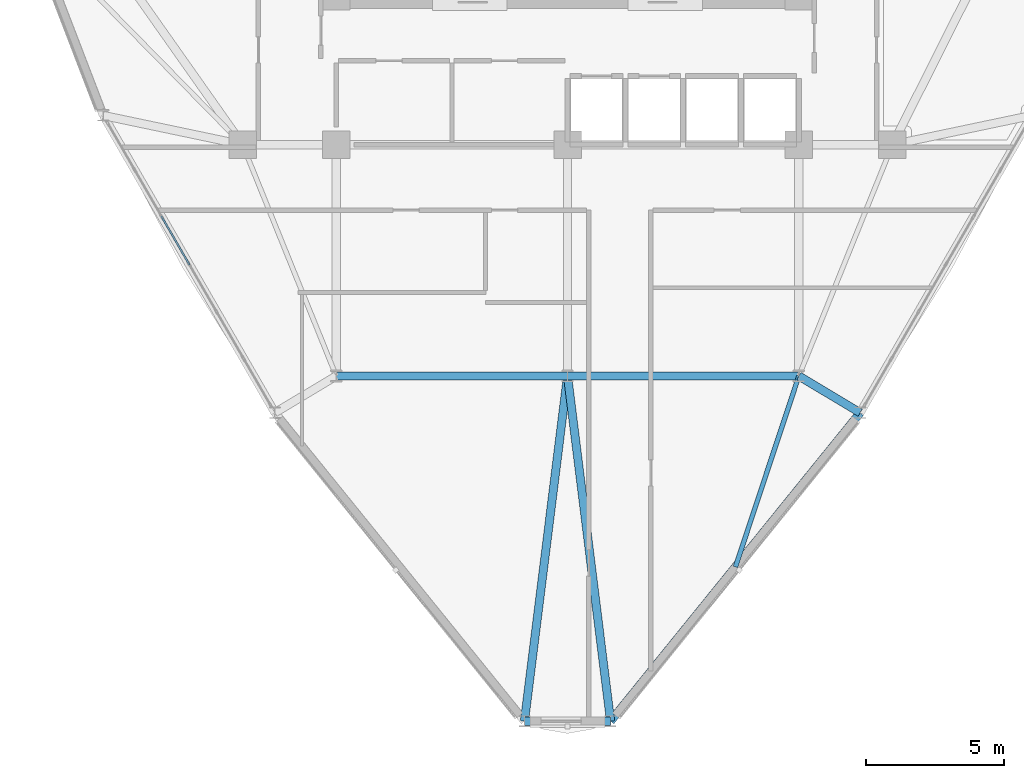
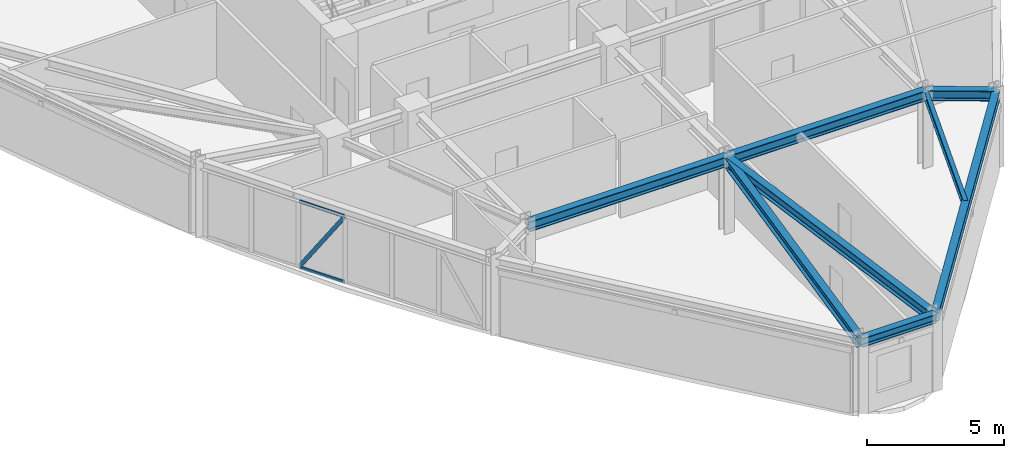
# One storey, part 3 of 14: 8 beams, 3 members, 1 element without a shape of its own.
"""IFC4 building model written with IfcOpenShell, lengths in metres."""

from ifc_helpers import new_model, si_unit, derived_unit, direction, frame, origin, origin_2d, place, context, subcontext, project, spatial, hollow_rectangle, i_section, extrude, source, transform, mapped, material, layer, layer_set, material_profile, profile_set, type_object, element, aggregate, save


model = new_model("IFC4")

# Units and contexts
model_context = context("Model", 3, precision=1e-05, world=origin(), true_north=direction((0.0, 1.0)))
body_context = subcontext(model_context, "Body", "Model", "MODEL_VIEW")
ifc_project = project(units=[si_unit("LENGTHUNIT", "METRE"), si_unit("AREAUNIT", "SQUARE_METRE"), si_unit("VOLUMEUNIT", "CUBIC_METRE"), si_unit("PLANEANGLEUNIT", "RADIAN"), si_unit("MASSUNIT", "GRAM", prefix="KILO"), derived_unit("THERMALTRANSMITTANCEUNIT", [(si_unit("POWERUNIT", "WATT"), 1), (si_unit("LENGTHUNIT", "METRE"), -2), (si_unit("THERMODYNAMICTEMPERATUREUNIT", "KELVIN"), -1)])], contexts=[model_context])

# Site, building, storey
site_placement = place(None, origin())
site = spatial("IfcSite", under=ifc_project, at=site_placement, CompositionType="ELEMENT")
building_placement = place(site_placement, origin())
building = spatial("IfcBuilding", under=site, at=building_placement, Name="Korsvarv Bourse and Concert Hall", CompositionType="ELEMENT")
storey_placement = place(building_placement, frame((0.0, 0.0, 190.199951171875)))
storey = spatial("IfcBuildingStorey", under=building, at=storey_placement, Name="L49", CompositionType="ELEMENT", Elevation=190.199951171875)

# Beams
ifc_material_1 = material(Name="Steel S355", Category="steel")
ifc_material_profile_1 = material_profile(ifc_material_1, i_section(OverallWidth=0.300048828125, OverallDepth=0.449951171875, WebThickness=0.013916015625, FlangeThickness=0.02587890625, FilletRadius=0.02099609375, at=origin_2d()), Name="HEB 450")
ifc_profile_set_1 = profile_set([ifc_material_profile_1], Name="Steel S355")
beam_type_1 = type_object("IfcBeamType", Name="BM-HEB450", PredefinedType="SPANDREL", material=ifc_profile_set_1)
shared_shape_1 = source(origin(), body_context, "Body", "SweptSolid", [
    extrude(i_section(OverallWidth=0.300048828125, OverallDepth=0.449951171875, WebThickness=0.013916015625, FlangeThickness=0.02587890625, FilletRadius=0.02099609375, at=origin_2d()), origin(), (0.0, 0.0, 1.0), 8.39990234375),
])
for number, where, z_axis, x_axis, name in (
    (1, (27.60009765625, 24.0, 3.175048828125), (1.0, 0.0, 0.0), (0.0, 1.0, 0.0), "L49 beam B-08"),
    (2, (36.0, 24.0, 3.175048828125), (1.0, 0.0, 0.0), (0.0, 1.0, 0.0), "L49 beam B-08"),
):
    element("IfcBeam", number, at=place(storey_placement, frame(where, z_axis=z_axis, x_axis=x_axis)), inside=storey, type_object=beam_type_1, Name=name, PredefinedType="SPANDREL", context=body_context, shape_type="MappedRepresentation", body=[
        mapped(shared_shape_1, transform((0.0, 0.0, 0.0), scale=1.0)),
    ])
ifc_material_profile_2 = material_profile(ifc_material_1, i_section(OverallWidth=0.300048828125, OverallDepth=0.389892578125, WebThickness=0.010986328125, FlangeThickness=0.01904296875, FilletRadius=0.02099609375, at=origin_2d()), Name="HEA 400")
ifc_profile_set_2 = profile_set([ifc_material_profile_2], Name="Steel S355")
beam_type_2 = type_object("IfcBeamType", Name="BM-HEA400", PredefinedType="BEAM", material=ifc_profile_set_2)
shared_shape_2 = source(origin(), body_context, "Body", "SweptSolid", [
    extrude(i_section(OverallWidth=0.300048828125, OverallDepth=0.389892578125, WebThickness=0.010986328125, FlangeThickness=0.01904296875, FilletRadius=0.02099609375, at=origin_2d()), origin(), (0.0, 0.0, 1.0), 3.12939453125),
])
beam_1_placement = place(storey_placement, frame((34.435302734375, 11.465087890625, 3.205078125), z_axis=(1.0, 0.0, 0.0), x_axis=(0.0, 1.0, 0.0)))
element("IfcBeam", 3, at=beam_1_placement, inside=storey, type_object=beam_type_2, Name="L49 beam B-11", PredefinedType="BEAM", context=body_context, shape_type="MappedRepresentation", body=[
    mapped(shared_shape_2, transform((0.0, 0.0, 0.0), scale=1.0)),
])
shared_shape_3 = source(origin(), body_context, "Body", "SweptSolid", [
    extrude(i_section(OverallWidth=0.300048828125, OverallDepth=0.389892578125, WebThickness=0.010986328125, FlangeThickness=0.01904296875, FilletRadius=0.02099609375, at=origin_2d()), origin(), (0.0, 0.0, 1.0), 14.408935546875),
])
beam_2_placement = place(storey_placement, frame((37.564697265625, 11.465087890625, 3.205078125), z_axis=(0.629063691989, 0.777353762081, 0.0), x_axis=(-0.777353762081, 0.629063691989, 0.0)))
element("IfcBeam", 4, at=beam_2_placement, inside=storey, type_object=beam_type_2, Name="L49 beam B-11", PredefinedType="BEAM", context=body_context, shape_type="MappedRepresentation", body=[
    mapped(shared_shape_3, transform((0.0, 0.0, 0.0), scale=1.0)),
])
shared_shape_4 = source(origin(), body_context, "Body", "SweptSolid", [
    extrude(i_section(OverallWidth=0.300048828125, OverallDepth=0.449951171875, WebThickness=0.013916015625, FlangeThickness=0.02587890625, FilletRadius=0.02099609375, at=origin_2d()), origin(), (0.0, 0.0, 1.0), 2.59765625),
])
beam_3_placement = place(storey_placement, frame((46.62890625, 22.666015625, 3.175048828125), z_axis=(-0.858072868624, 0.513527946787, 0.0), x_axis=(-0.513527946787, -0.858072868624, 0.0)))
element("IfcBeam", 5, at=beam_3_placement, inside=storey, type_object=beam_type_1, Name="L49 beam B-08", PredefinedType="SPANDREL", context=body_context, shape_type="MappedRepresentation", body=[
    mapped(shared_shape_4, transform((0.0, 0.0, 0.0), scale=1.0)),
])
shared_shape_5 = source(origin(), body_context, "Body", "SweptSolid", [
    extrude(i_section(OverallWidth=0.300048828125, OverallDepth=0.449951171875, WebThickness=0.013916015625, FlangeThickness=0.02587890625, FilletRadius=0.02099609375, at=origin_2d()), origin(), (0.0, 0.0, 1.0), 12.632080078125),
])
for number, where, z_axis, x_axis, name in (
    (6, (34.435302734375, 11.465087890625, 3.175048828125), (0.12386584577, 0.992298973219, 0.0), (-0.992298973219, 0.12386584577, 0.0), "L49 beam B-08"),
    (7, (37.564697265625, 11.465087890625, 3.175048828125), (-0.12386584577, 0.992298973219, 0.0), (-0.992298973219, -0.12386584577, 0.0), "L49 beam B-08"),
):
    element("IfcBeam", number, at=place(storey_placement, frame(where, z_axis=z_axis, x_axis=x_axis)), inside=storey, type_object=beam_type_1, Name=name, PredefinedType="SPANDREL", context=body_context, shape_type="MappedRepresentation", body=[
        mapped(shared_shape_5, transform((0.0, 0.0, 0.0), scale=1.0)),
    ])
ifc_material_profile_3 = material_profile(ifc_material_1, i_section(OverallWidth=0.169921875, OverallDepth=0.360107421875, WebThickness=0.008056640625, FlangeThickness=0.0126953125, FilletRadius=0.01806640625, at=origin_2d()), Name="IPE 360")
ifc_profile_set_3 = profile_set([ifc_material_profile_3], Name="Steel S355")
beam_type_3 = type_object("IfcBeamType", Name="BM-IPE360", PredefinedType="JOIST", material=ifc_profile_set_3)
shared_shape_6 = source(origin(), body_context, "Body", "SweptSolid", [
    extrude(i_section(OverallWidth=0.169921875, OverallDepth=0.360107421875, WebThickness=0.008056640625, FlangeThickness=0.0126953125, FilletRadius=0.01806640625, at=origin_2d()), origin(), (0.0, 0.0, 1.0), 7.306884765625),
])
beam_4_placement = place(storey_placement, frame((42.0966796875, 17.065673828125, 3.219970703125), z_axis=(0.315215181878, 0.949020225872, 0.0), x_axis=(-0.949020225872, 0.315215181878, 0.0)))
element("IfcBeam", 8, at=beam_4_placement, inside=storey, type_object=beam_type_3, Name="L49 beam J-06", PredefinedType="JOIST", context=body_context, shape_type="MappedRepresentation", body=[
    mapped(shared_shape_6, transform((0.0, 0.0, 0.0), scale=1.0)),
])

# Curtain wall, members
ifc_material_2 = material(Name="Anodised aluminium and triple low-E glazing", Category="glass")
ifc_layer = layer(ifc_material_2, 0.199951171875)
ifc_layer_set = layer_set([ifc_layer], Name="Anodised aluminium and triple low-E glazing")
curtain_wall_type = type_object("IfcCurtainWallType", Name="CW-SYS-3", PredefinedType="NOTDEFINED", material=ifc_layer_set)
curtain_wall_placement = place(storey_placement, origin())
curtain_wall = element("IfcCurtainWall", 9, at=curtain_wall_placement, inside=storey, type_object=curtain_wall_type, Name="L49 CW3 curtain wall CW-L49-F07", PredefinedType="NOTDEFINED")
ifc_material_3 = material(Name="Extruded aluminium EN AW-6063 T66", Category="aluminium")
ifc_material_profile_4 = material_profile(ifc_material_3, hollow_rectangle(XDim=0.06494140625, YDim=0.139892578125, WallThickness=0.00390625, at=origin_2d()), Name="ALU-T 65x140")
ifc_profile_set_4 = profile_set([ifc_material_profile_4], Name="Extruded aluminium EN AW-6063 T66")
member_type_1 = type_object("IfcMemberType", Name="CWT-140", PredefinedType="USERDEFINED", material=ifc_profile_set_4)
shared_shape_7 = source(origin(), body_context, "Body", "SweptSolid", [
    extrude(hollow_rectangle(XDim=0.06494140625, YDim=0.139892578125, WallThickness=0.00390625, at=origin_2d()), origin(), (0.0, 0.0, 1.0), 1.908203125),
])
member_1_placement = place(storey_placement, frame((21.282958984375, 29.7470703125, 0.032470703125), z_axis=(0.499991942392, -0.866030055796, 0.0), x_axis=(0.866030055796, 0.499991942392, 0.0)))
member_1 = element("IfcMember", 10, at=member_1_placement, type_object=member_type_1, Name="CW3 transom 3.1", ObjectType="TRANSOM", PredefinedType="USERDEFINED", context=body_context, shape_type="MappedRepresentation", body=[
    mapped(shared_shape_7, transform((0.0, 0.0, 0.0), scale=1.0)),
])
member_2_placement = place(storey_placement, frame((21.282958984375, 29.7470703125, 2.9775390625), z_axis=(0.499991942392, -0.866030055796, 0.0), x_axis=(0.866030055796, 0.499991942392, 0.0)))
member_2 = element("IfcMember", 11, at=member_2_placement, type_object=member_type_1, Name="CW3 transom 3.2", ObjectType="TRANSOM", PredefinedType="USERDEFINED", context=body_context, shape_type="MappedRepresentation", body=[
    mapped(shared_shape_7, transform((0.0, 0.0, 0.0), scale=1.0)),
])
ifc_material_profile_5 = material_profile(ifc_material_3, hollow_rectangle(XDim=0.06494140625, YDim=0.1650390625, WallThickness=0.0048828125, at=origin_2d()), Name="ALU-M 65x165")
ifc_profile_set_5 = profile_set([ifc_material_profile_5], Name="Extruded aluminium EN AW-6063 T66")
member_type_2 = type_object("IfcMemberType", Name="CWM-165", PredefinedType="MULLION", material=ifc_profile_set_5)
shared_shape_8 = source(origin(), body_context, "Body", "SweptSolid", [
    extrude(hollow_rectangle(XDim=0.06494140625, YDim=0.1650390625, WallThickness=0.0048828125, at=origin_2d()), origin(), (0.0, 0.0, 1.0), 3.454833984375),
])
member_3_placement = place(storey_placement, frame((21.282958984375, 29.7470703125, 0.06494140625), z_axis=(0.276157172824, -0.478328531946, 0.833630032703), x_axis=(0.866030055796, 0.499991942392, 0.0)))
member_3 = element("IfcMember", 12, at=member_3_placement, type_object=member_type_2, Name="CW3 diagonal mullion 3", PredefinedType="MULLION", context=body_context, shape_type="MappedRepresentation", body=[
    mapped(shared_shape_8, transform((0.0, 0.0, 0.0), scale=1.0)),
])
aggregate(curtain_wall, [member_1, member_2, member_3])

save(model, "model.ifc")
